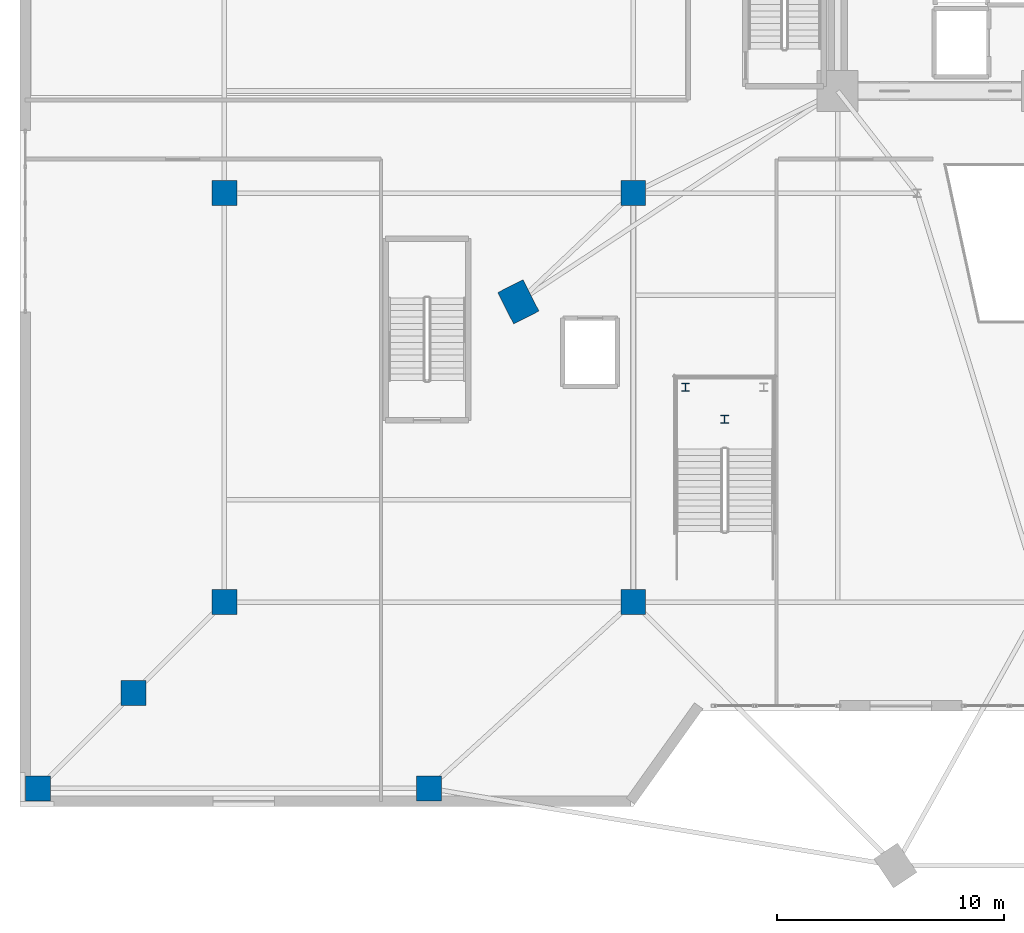
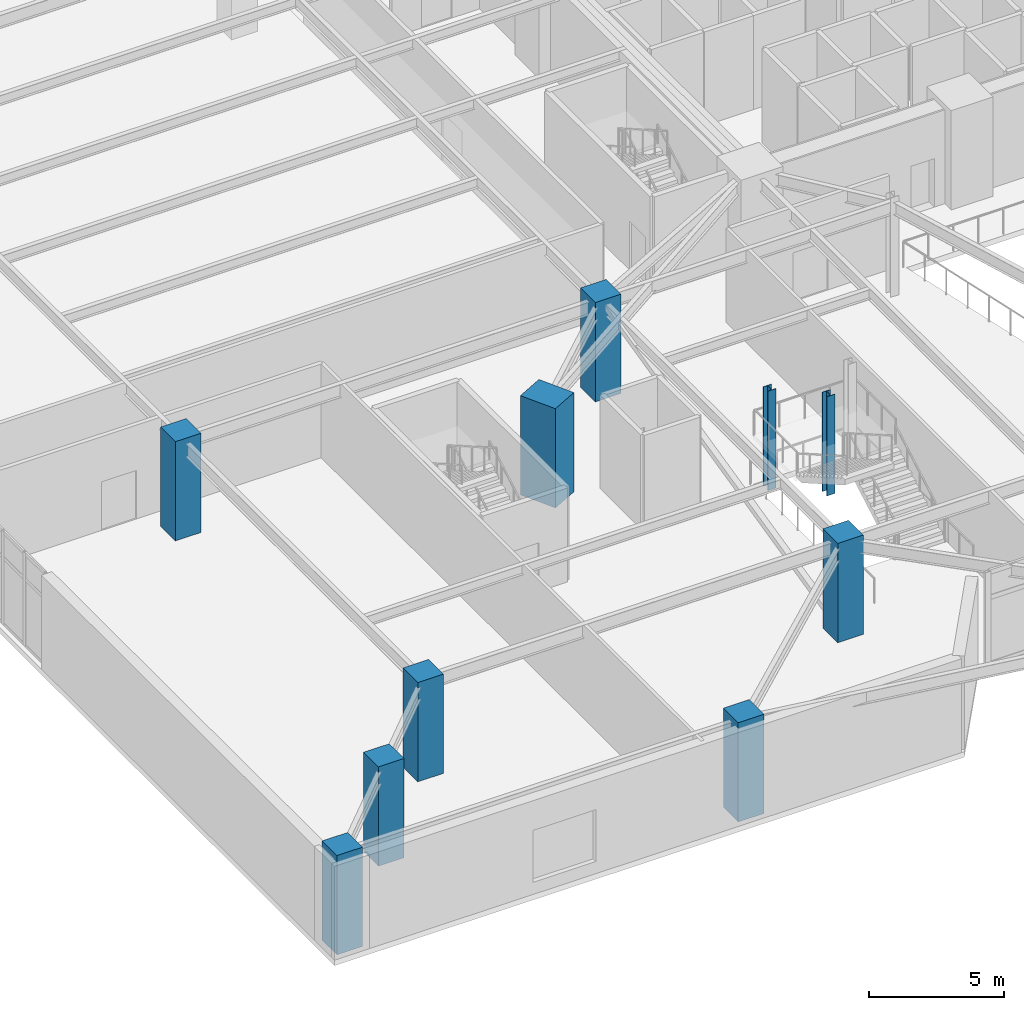
# One storey, part 1 of 29: 10 columns.
"""IFC4 building model written with IfcOpenShell, lengths in metres."""

from ifc_helpers import new_model, si_unit, direction, frame, origin, origin_2d, place, context, subcontext, project, spatial, rectangle, i_section, extrude, source, transform, mapped, material, material_profile, profile_set, type_object, element, save


model = new_model("IFC4")

# Units and contexts
model_context = context("Model", 3, precision=1e-05, world=origin(), true_north=direction((0.0, 1.0)))
body_context = subcontext(model_context, "Body", "Model", "MODEL_VIEW")
ifc_project = project(units=[si_unit("LENGTHUNIT", "METRE"), si_unit("AREAUNIT", "SQUARE_METRE"), si_unit("VOLUMEUNIT", "CUBIC_METRE"), si_unit("PLANEANGLEUNIT", "RADIAN"), si_unit("MASSUNIT", "GRAM", prefix="KILO")], contexts=[model_context])

# Site, building, storey
site_placement = place(None, origin())
site = spatial("IfcSite", under=ifc_project, at=site_placement, CompositionType="ELEMENT")
building_placement = place(site_placement, origin())
building = spatial("IfcBuilding", under=site, at=building_placement, Name="Liaohun Quay Tower", CompositionType="ELEMENT")
storey_placement = place(building_placement, frame((0.0, 0.0, 5.39990234375)))
storey = spatial("IfcBuildingStorey", under=building, at=storey_placement, Name="L02", CompositionType="ELEMENT", Elevation=5.39990234375)

# Columns
ifc_material_1 = material(Name="Concrete C60", Category="concrete")
ifc_material_profile_1 = material_profile(ifc_material_1, rectangle(XDim=1.550048828125, YDim=1.25, at=origin_2d()), Name="RC1550x1250")
ifc_profile_set_1 = profile_set([ifc_material_profile_1], Name="Concrete C60")
column_type_1 = type_object("IfcColumnType", Name="COL-PIER-Z1", PredefinedType="COLUMN", material=ifc_profile_set_1)
shared_shape_1 = source(origin(), body_context, "Body", "SweptSolid", [
    extrude(rectangle(XDim=1.550048828125, YDim=1.25, at=origin_2d()), origin(), (0.0, 0.0, 1.0), 4.5),
])
column_placement = place(storey_placement, frame((36.94091796875, 37.217041015625, 0.0), z_axis=(0.0, 0.0, 1.0), x_axis=(-0.451500573218, 0.892270829056, 0.0)))
element("IfcColumn", 1, at=column_placement, inside=storey, type_object=column_type_1, Name="L02 Tower Mega-Pier PC02", PredefinedType="COLUMN", context=body_context, shape_type="MappedRepresentation", body=[
    mapped(shared_shape_1, transform((0.0, 0.0, 0.0), x_axis=(1.0, 0.0, 0.0), y_axis=(0.0, 1.0, 0.0), z_axis=(0.0, 0.0, 1.0), scale=1.0)),
])
ifc_material_2 = material(Name="Concrete C55", Category="concrete")
ifc_material_profile_2 = material_profile(ifc_material_2, rectangle(XDim=1.10009765625, YDim=1.10009765625, at=origin_2d()), Name="RC1100x1100")
ifc_profile_set_2 = profile_set([ifc_material_profile_2], Name="Concrete C55")
column_type_2 = type_object("IfcColumnType", Name="COL-POD-P", PredefinedType="COLUMN", material=ifc_profile_set_2)
shared_shape_2 = source(origin(), body_context, "Body", "SweptSolid", [
    extrude(rectangle(XDim=1.10009765625, YDim=1.10009765625, at=origin_2d()), origin(), (0.0, 0.0, 1.0), 4.5),
])
for number, where, z_axis, x_axis, name in (
    (2, (24.0, 24.0, 0.0), (0.0, 0.0, 1.0), (1.0, 0.0, 0.0), "L02 Podium Column PG01"),
    (3, (42.0, 24.0, 0.0), (0.0, 0.0, 1.0), (1.0, 0.0, 0.0), "L02 Podium Column PG02"),
    (4, (24.0, 42.0, 0.0), (0.0, 0.0, 1.0), (1.0, 0.0, 0.0), "L02 Podium Column PG06"),
    (5, (42.0, 42.0, 0.0), (0.0, 0.0, 1.0), (1.0, 0.0, 0.0), "L02 Podium Column PG07"),
    (6, (15.800048828125, 15.800048828125, 0.0), (0.0, 0.0, 1.0), (1.0, 0.0, 0.0), "L02 Podium Column PT01"),
    (7, (33.0, 15.800048828125, 0.0), (0.0, 0.0, 1.0), (1.0, 0.0, 0.0), "L02 Podium Column PT02"),
    (8, (20.0, 20.0, 0.0), (0.0, 0.0, 1.0), (1.0, 0.0, 0.0), "L02 Podium Column PT05"),
):
    element("IfcColumn", number, at=place(storey_placement, frame(where, z_axis=z_axis, x_axis=x_axis)), inside=storey, type_object=column_type_2, Name=name, PredefinedType="COLUMN", context=body_context, shape_type="MappedRepresentation", body=[
        mapped(shared_shape_2, transform((0.0, 0.0, 0.0), x_axis=(1.0, 0.0, 0.0), y_axis=(0.0, 1.0, 0.0), z_axis=(0.0, 0.0, 1.0), scale=1.0)),
    ])
ifc_material_3 = material(Name="Steel Q355D", Category="steel")
ifc_material_profile_3 = material_profile(ifc_material_3, i_section(OverallWidth=0.35009765625, OverallDepth=0.35009765625, WebThickness=0.011962890625, FlangeThickness=0.01904296875, at=origin_2d()), Name="HW350x350x12x19")
ifc_profile_set_3 = profile_set([ifc_material_profile_3], Name="Steel Q355D")
column_type_3 = type_object("IfcColumnType", Name="COL-STL-ATR", PredefinedType="COLUMN", material=ifc_profile_set_3)
shared_shape_3 = source(origin(), body_context, "Body", "SweptSolid", [
    extrude(i_section(OverallWidth=0.35009765625, OverallDepth=0.35009765625, WebThickness=0.011962890625, FlangeThickness=0.01904296875, at=origin_2d()), origin(), (0.0, 0.0, 1.0), 4.5),
])
for number, where, z_axis, x_axis, name in (
    (9, (44.300048828125, 33.449951171875, 0.0), (0.0, 0.0, 1.0), (1.0, 0.0, 0.0), "L02 Monumental Stair Support Post STA1"),
    (10, (46.02001953125, 32.050048828125, 0.0), (0.0, 0.0, 1.0), (1.0, 0.0, 0.0), "L02 Monumental Stair Support Post STA3"),
):
    element("IfcColumn", number, at=place(storey_placement, frame(where, z_axis=z_axis, x_axis=x_axis)), inside=storey, type_object=column_type_3, Name=name, PredefinedType="COLUMN", context=body_context, shape_type="MappedRepresentation", body=[
        mapped(shared_shape_3, transform((0.0, 0.0, 0.0), x_axis=(1.0, 0.0, 0.0), y_axis=(0.0, 1.0, 0.0), z_axis=(0.0, 0.0, 1.0), scale=1.0)),
    ])

save(model, "model.ifc")
